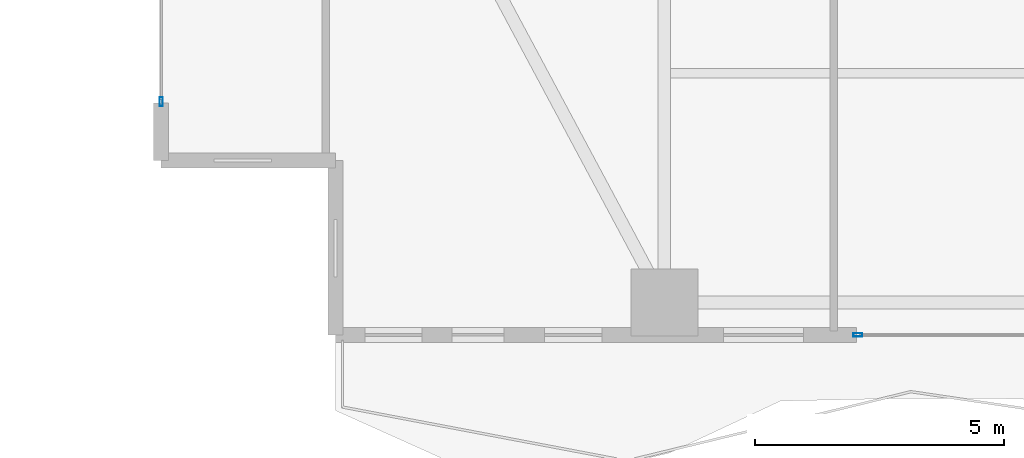
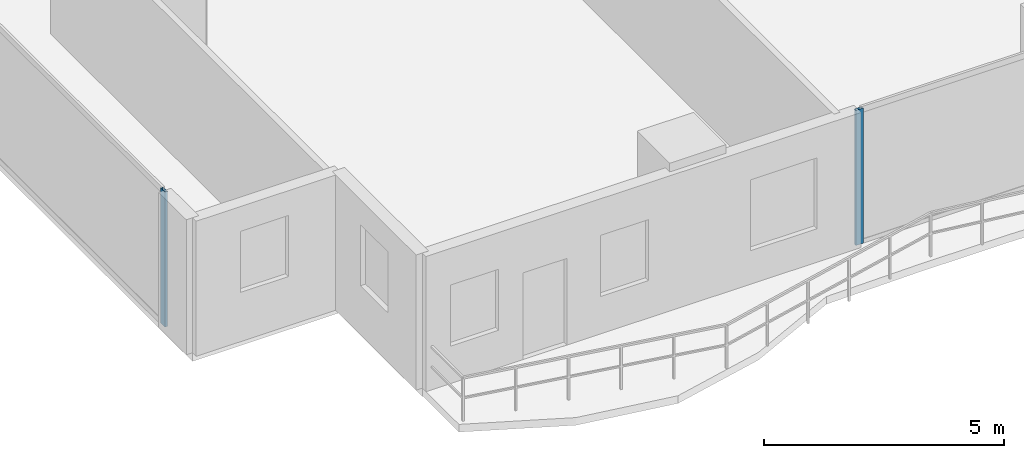
# One storey, part 2 of 30: 2 members, 2 elements without a shape of their own.
"""IFC4 building model written with IfcOpenShell, lengths in metres."""

import ifcopenshell
import ifcopenshell.guid

model = None  # the IFC model being written
_history = None  # IfcOwnerHistory: only IFC2X3 demands one
_inside = {}  # id of a spatial element -> (the spatial element, [elements in it])
_under = {}  # id of a project, library or spatial element -> (it, [spatial elements below it])
_declared = {}  # id of a project -> (the project, [libraries it declares])
_typed = {}  # id of a type object -> (the type object, [elements of that type])
_made_of = {}  # id of a material, layer set ... -> (it, [elements and type objects made of it])


def new_model(schema):
    """Start an empty IFC model of exactly this schema.

    Asked for "IFC4X3", IfcOpenShell would pick the latest addendum, in which some entities
    have other attributes; the version numbers below select the first issue.
    IFC2X3 requires an IfcOwnerHistory on every rooted entity: one is made here for all.
    """
    global model, _history
    if schema == "IFC4X3":
        model = ifcopenshell.file(schema_version=(4, 3, 0, 0))
    else:
        model = ifcopenshell.file(schema=schema)
    _inside.clear()
    _under.clear()
    _declared.clear()
    _typed.clear()
    _made_of.clear()
    _history = None
    if model.schema == "IFC2X3":
        org = make("IfcOrganization", Name="unknown")
        user = make(
            "IfcPersonAndOrganization",
            ThePerson=make("IfcPerson", FamilyName="unknown"),
            TheOrganization=org,
        )
        app = make(
            "IfcApplication",
            ApplicationDeveloper=org,
            Version="unknown",
            ApplicationFullName="unknown",
            ApplicationIdentifier="unknown",
        )
        _history = make(
            "IfcOwnerHistory",
            OwningUser=user,
            OwningApplication=app,
            ChangeAction="ADDED",
            CreationDate=0,
        )
    return model


def make(cls, **values):
    """One entity of the class cls with the attributes given. An attribute that is None is left unset."""
    return model.create_entity(
        cls, **{name: value for name, value in values.items() if value is not None}
    )


def rooted(cls, **values):
    """An entity with a GlobalId (a new one), such as an element, a storey or a relation."""
    return make(cls, GlobalId=ifcopenshell.guid.new(), OwnerHistory=_history, **values)


def si_unit(unit_type, name, prefix=None):
    """IfcSIUnit, for example si_unit("LENGTHUNIT", "METRE", prefix="MILLI")."""
    return make("IfcSIUnit", UnitType=unit_type, Prefix=prefix, Name=name)


def assignment(units):
    """IfcUnitAssignment: the units of a project."""
    return None if units is None else make("IfcUnitAssignment", Units=units)


def point(xyz):
    """IfcCartesianPoint."""
    return None if xyz is None else make("IfcCartesianPoint", Coordinates=xyz)


def direction(xyz):
    """IfcDirection."""
    return None if xyz is None else make("IfcDirection", DirectionRatios=xyz)


def frame(location, z_axis=None, x_axis=None):
    """IfcAxis2Placement3D, a coordinate frame: its origin and axes. An axis left out is left unset."""
    return make(
        "IfcAxis2Placement3D",
        Location=point(location),
        Axis=direction(z_axis),
        RefDirection=direction(x_axis),
    )


def frame_2d(location, x_axis=None):
    """IfcAxis2Placement2D, a coordinate frame in the plane: its origin and x axis."""
    return make(
        "IfcAxis2Placement2D", Location=point(location), RefDirection=direction(x_axis)
    )


def origin():
    """The frame at (0, 0, 0) with its axes left unset."""
    return frame((0.0, 0.0, 0.0))


def origin_2d():
    """The frame at (0, 0) in the plane with its x axis left unset."""
    return frame_2d((0.0, 0.0))


def place(relative_to, where):
    """IfcLocalPlacement: puts the frame where relative to a parent placement (None: the world)."""
    return make(
        "IfcLocalPlacement", PlacementRelTo=relative_to, RelativePlacement=where
    )


def context(
    kind, dimensions, precision=None, world=None, true_north=None, identifier=None
):
    """IfcGeometricRepresentationContext, for example the 3D "Model" context."""
    return make(
        "IfcGeometricRepresentationContext",
        ContextIdentifier=identifier,
        ContextType=kind,
        CoordinateSpaceDimension=dimensions,
        Precision=precision,
        WorldCoordinateSystem=world,
        TrueNorth=true_north,
    )


def subcontext(parent, identifier, kind, view, scale=None):
    """IfcGeometricRepresentationSubContext, for example "Body" below "Model"."""
    return make(
        "IfcGeometricRepresentationSubContext",
        ContextIdentifier=identifier,
        ContextType=kind,
        ParentContext=parent,
        TargetScale=scale,
        TargetView=view,
    )


def project(units=None, contexts=None):
    """IfcProject with its units and contexts."""
    return rooted(
        "IfcProject",
        Name="project",
        RepresentationContexts=contexts,
        UnitsInContext=assignment(units),
    )


def spatial(cls, under=None, at=None, **own):
    """A site, building, storey or space (cls), placed at a placement, below another one or the project."""
    s = rooted(cls, ObjectPlacement=at, **own)
    if under is not None:
        _under.setdefault(under.id(), (under, []))[1].append(s)
    return s


def profile(cls, at=None, kind="AREA", **sizes):
    """A parametric profile (cls). Its sizes go by their IFC names, for example OverallWidth=200.0."""
    return make(cls, ProfileType=kind, Position=at, **sizes)


def hollow_rectangle(**sizes):
    """IfcRectangleHollowProfileDef."""
    return profile("IfcRectangleHollowProfileDef", **sizes)


def extrude(swept, where, along, depth):
    """IfcExtrudedAreaSolid: the profile swept, set in the frame where, extruded along a direction by depth."""
    return make(
        "IfcExtrudedAreaSolid",
        SweptArea=swept,
        Position=where,
        ExtrudedDirection=direction(along),
        Depth=depth,
    )


def shape(context_of_items, identifier, shape_type, items):
    """IfcShapeRepresentation: the items that make up one representation, for example the "Body"."""
    return make(
        "IfcShapeRepresentation",
        ContextOfItems=context_of_items,
        RepresentationIdentifier=identifier,
        RepresentationType=shape_type,
        Items=items,
    )


def material(Name=None, Category=None):
    """IfcMaterial."""
    return make("IfcMaterial", Name=Name, Category=Category)


def layer(
    of_material, thickness, ventilated=None, Name=None, Category=None, Priority=None
):
    """IfcMaterialLayer: one layer of a wall or slab, of a material (None: an air gap)."""
    return make(
        "IfcMaterialLayer",
        Material=of_material,
        LayerThickness=thickness,
        IsVentilated=ventilated,
        Name=Name,
        Category=Category,
        Priority=Priority,
    )


def layer_set(layers, Name=None):
    """IfcMaterialLayerSet."""
    return make("IfcMaterialLayerSet", MaterialLayers=layers, LayerSetName=Name)


def material_profile(
    of_material, cross_section, Name=None, Category=None, Priority=None
):
    """IfcMaterialProfile: a cross section and its material."""
    return make(
        "IfcMaterialProfile",
        Name=Name,
        Material=of_material,
        Profile=cross_section,
        Priority=Priority,
        Category=Category,
    )


def profile_set(profiles, Name=None, composite=None):
    """IfcMaterialProfileSet."""
    return make(
        "IfcMaterialProfileSet",
        Name=Name,
        MaterialProfiles=profiles,
        CompositeProfile=composite,
    )


def made_of(thing, what):
    """Note that an element or type object is made of a material, layer set ...; save() writes the relation."""
    if what is not None:
        _made_of.setdefault(what.id(), (what, []))[1].append(thing)
    return thing


def type_object(cls, material=None, **own):
    """A type object (cls), such as IfcWallType, which elements share."""
    return made_of(rooted(cls, **own), material)


def element(
    cls,
    number,
    at=None,
    inside=None,
    cuts=None,
    type_object=None,
    material=None,
    context=None,
    identifier="Body",
    shape_type=None,
    held_by="IfcProductDefinitionShape",
    body=None,
    shapes=None,
    **own,
):
    """One element of the class cls, such as IfcWall. Its Tag is "e" and its number.

    at: its placement. inside: the storey or other place that contains it. cuts: it is an
    opening in that element (IfcRelVoidsElement). A single representation is given by context,
    identifier, shape_type and body (its items); several are given by shapes. held_by: the class
    of the entity that holds the representations. save() writes the other relations.
    """
    e = rooted(cls, Tag="e%d" % number, ObjectPlacement=at, **own)
    if body is not None:
        shapes = [shape(context, identifier, shape_type, body)]
    if shapes is not None:
        e.Representation = make(held_by, Representations=shapes)
    if inside is not None:
        _inside.setdefault(inside.id(), (inside, []))[1].append(e)
    if cuts is not None:
        rooted(
            "IfcRelVoidsElement", RelatingBuildingElement=cuts, RelatedOpeningElement=e
        )
    if type_object is not None:
        _typed.setdefault(type_object.id(), (type_object, []))[1].append(e)
    return made_of(e, material)


def aggregate(whole, parts):
    """IfcRelAggregates: a whole, such as a stair, and the parts it consists of."""
    return rooted("IfcRelAggregates", RelatingObject=whole, RelatedObjects=parts)


def save(model, path):
    """Write the relations noted so far, then the file.

    IfcRelAggregates (storeys below a building ...), IfcRelContainedInSpatialStructure (elements
    in a storey), IfcRelDefinesByType, IfcRelAssociatesMaterial and IfcRelDeclares: one each for
    every whole, place, type object, material and project.
    """
    for whole, parts in _under.values():
        aggregate(whole, parts)
    for where, things in _inside.values():
        rooted(
            "IfcRelContainedInSpatialStructure",
            RelatedElements=things,
            RelatingStructure=where,
        )
    for kind, things in _typed.values():
        rooted("IfcRelDefinesByType", RelatedObjects=things, RelatingType=kind)
    for what, things in _made_of.values():
        rooted("IfcRelAssociatesMaterial", RelatedObjects=things, RelatingMaterial=what)
    for by, libraries in _declared.values():
        rooted("IfcRelDeclares", RelatingContext=by, RelatedDefinitions=libraries)
    model.write(path)


model = new_model("IFC4")

# Units and contexts
model_context = context("Model", 3, precision=1e-05, world=origin(), true_north=direction((0.0, 1.0)))
body_context = subcontext(model_context, "Body", "Model", "MODEL_VIEW")
ifc_project = project(units=[si_unit("LENGTHUNIT", "METRE"), si_unit("AREAUNIT", "SQUARE_METRE"), si_unit("VOLUMEUNIT", "CUBIC_METRE"), si_unit("PLANEANGLEUNIT", "RADIAN"), si_unit("MASSUNIT", "GRAM", prefix="KILO")], contexts=[model_context])

# Site, building, storey
site_placement = place(None, origin())
site = spatial("IfcSite", under=ifc_project, at=site_placement, CompositionType="ELEMENT")
building_placement = place(site_placement, origin())
building = spatial("IfcBuilding", under=site, at=building_placement, Name="Zuhayl Quay Hotel", CompositionType="ELEMENT")
storey_placement = place(building_placement, frame((0.0, 0.0, 128.5)))
storey = spatial("IfcBuildingStorey", under=building, at=storey_placement, Name="L32", CompositionType="ELEMENT", Elevation=128.5)

# Curtain wall, member
ifc_material_1 = material(Name="Anodised Aluminium 6063-T6", Category="aluminium")
ifc_layer = layer(ifc_material_1, 0.179931640625, Name="Anodised Aluminium 6063-T6", Category="aluminium")
ifc_layer_set = layer_set([ifc_layer], Name="Anodised Aluminium 6063-T6")
curtain_wall_type = type_object("IfcCurtainWallType", Name="CW_SYS_Z2", PredefinedType="USERDEFINED", material=ifc_layer_set)
curtain_wall_1_placement = place(storey_placement, origin())
curtain_wall_1 = element("IfcCurtainWall", 1, at=curtain_wall_1_placement, inside=storey, type_object=curtain_wall_type, Name="L32 Curtain Wall ENV_L32_E02_CW1", ObjectType="UNITISED CURTAIN WALL", PredefinedType="USERDEFINED")
ifc_material_2 = material(Name="Black-anodised aluminium 6063-T6", Category="aluminium")
ifc_material_profile = material_profile(ifc_material_2, hollow_rectangle(XDim=0.06494140625, YDim=0.179931640625, WallThickness=0.00341796875, at=origin_2d()), Name="ALU180X65")
ifc_profile_set = profile_set([ifc_material_profile], Name="Black-anodised aluminium 6063-T6")
member_type = type_object("IfcMemberType", Name="MB_CW_MUL_180", PredefinedType="MULLION", material=ifc_profile_set)
member_1_placement = place(storey_placement, frame((-23.89990234375, -10.717529296875, 0.0), z_axis=(0.0, 0.0, 1.0), x_axis=(-1.0, 0.0, 0.0)))
member_1 = element("IfcMember", 2, at=member_1_placement, type_object=member_type, Name="CW-Z2 mullion 1", PredefinedType="MULLION", context=body_context, shape_type="SweptSolid", body=[
    extrude(hollow_rectangle(XDim=0.06494140625, YDim=0.179931640625, WallThickness=0.00341796875, at=origin_2d()), origin(), (0.0, 0.0, 1.0), 3.429931640625),
])
aggregate(curtain_wall_1, [member_1])

curtain_wall_2_placement = place(storey_placement, origin())
curtain_wall_2 = element("IfcCurtainWall", 3, at=curtain_wall_2_placement, inside=storey, type_object=curtain_wall_type, Name="L32 Curtain Wall ENV_L32_S_CW5", ObjectType="UNITISED CURTAIN WALL", PredefinedType="USERDEFINED")
member_2_placement = place(storey_placement, frame((-9.91748046875, -15.39990234375, 0.0), z_axis=(0.0, 0.0, 1.0), x_axis=(0.0, -1.0, 0.0)))
member_2 = element("IfcMember", 4, at=member_2_placement, type_object=member_type, Name="CW-Z2 mullion 2", PredefinedType="MULLION", context=body_context, shape_type="SweptSolid", body=[
    extrude(hollow_rectangle(XDim=0.06494140625, YDim=0.179931640625, WallThickness=0.00341796875, at=origin_2d()), origin(), (0.0, 0.0, 1.0), 3.429931640625),
])
aggregate(curtain_wall_2, [member_2])

save(model, "model.ifc")
